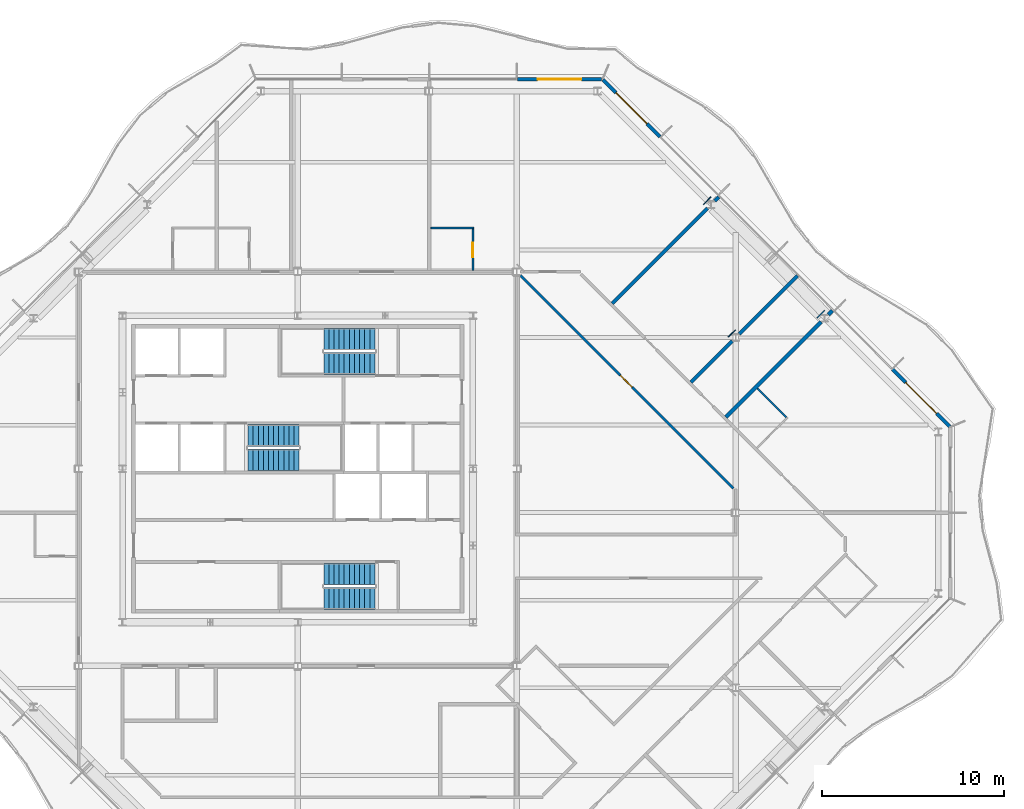
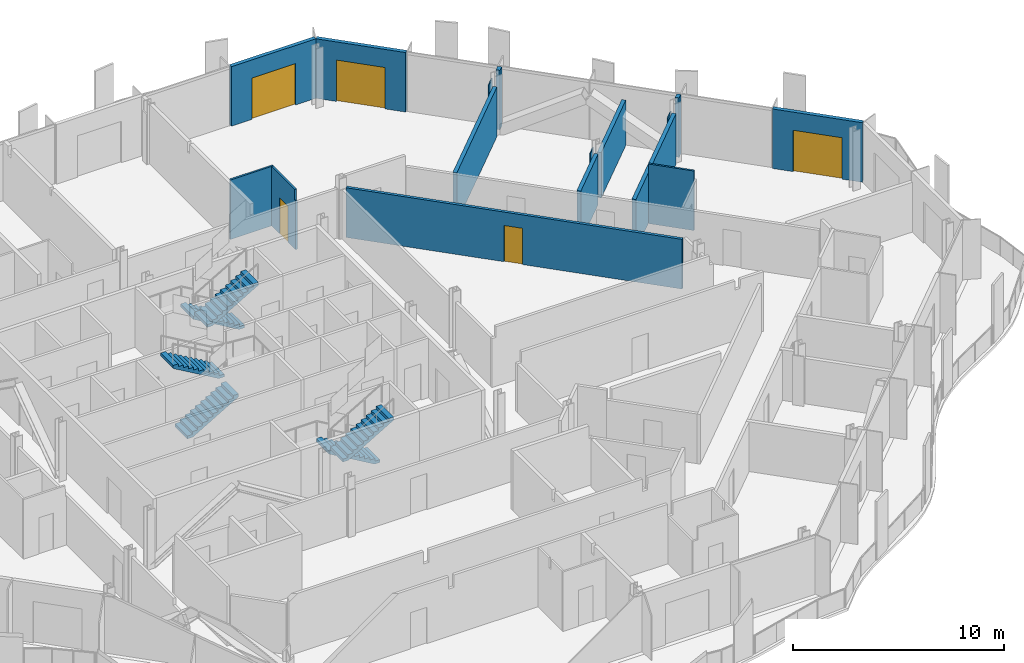
# One storey, part 12 of 17: 16 walls, 6 stair flights, 5 doors, 5 openings, 3 elements without a shape of their own.
"""IFC4 building model written with IfcOpenShell, lengths in metres."""

from ifc_helpers import new_model, si_unit, direction, frame, frame_2d, origin, place, context, subcontext, project, spatial, polyline, rectangle, outline, extrude, material, layer, layer_set, type_object, element, fill, aggregate, save


model = new_model("IFC4")

# Units and contexts
model_context = context("Model", 3, precision=1e-05, world=origin(), true_north=direction((0.0, 1.0)))
body_context = subcontext(model_context, "Body", "Model", "MODEL_VIEW")
ifc_project = project(units=[si_unit("LENGTHUNIT", "METRE"), si_unit("AREAUNIT", "SQUARE_METRE"), si_unit("VOLUMEUNIT", "CUBIC_METRE"), si_unit("PLANEANGLEUNIT", "RADIAN"), si_unit("MASSUNIT", "GRAM", prefix="KILO")], contexts=[model_context])

# Site, building, storey
site_placement = place(None, origin())
site = spatial("IfcSite", under=ifc_project, at=site_placement, CompositionType="ELEMENT")
building_placement = place(site_placement, origin())
building = spatial("IfcBuilding", under=site, at=building_placement, Name="Cairn Pilgrim Tower", CompositionType="ELEMENT")
storey_placement = place(building_placement, frame((0.0, 0.0, 235.800048828125)))
storey = spatial("IfcBuildingStorey", under=building, at=storey_placement, Name="L60", CompositionType="ELEMENT", Elevation=235.800048828125)

# Wall, opening, door
ifc_material_1 = material(Name="Bronze anodised aluminium insulated sandwich panel with mineral wool fill", Category="aluminium")
ifc_layer_1 = layer(ifc_material_1, 0.199951171875)
ifc_layer_set_1 = layer_set([ifc_layer_1], Name="BRONZE INFILL FRAME WALL 200")
wall_type_1 = type_object("IfcWallType", Name="BRONZE INFILL FRAME WALL 200", PredefinedType="NOTDEFINED", material=ifc_layer_set_1)
wall_1_placement = place(storey_placement, frame((42.921630859375, 4.724609375, 0.0), z_axis=(0.0, 0.0, 1.0), x_axis=(-0.707079168996, 0.707134392299, 0.0)))
wall_1 = element("IfcWall", 1, at=wall_1_placement, inside=storey, type_object=wall_type_1, Name="Bronze infill frame wall IW-NE1", PredefinedType="NOTDEFINED", context=body_context, shape_type="SweptSolid", body=[
    extrude(rectangle(XDim=4.4208984375, YDim=0.199951171875, at=frame_2d((2.21044921875, 0.0))), origin(), (0.0, 0.0, 1.0), 3.449951171875),
])
opening_1_placement = place(wall_1_placement, frame((1.00537109375, 0.0, 0.0)))
opening_1 = element("IfcOpeningElement", 2, at=opening_1_placement, cuts=wall_1, Name="Opening 6005B", PredefinedType="OPENING", context=body_context, shape_type="SweptSolid", body=[
    extrude(rectangle(XDim=2.39990234375, YDim=2.39990234375, at=frame_2d((1.199951171875, 1.199951171875))), frame((0.0, 0.10986328125, 0.0), z_axis=(0.0, -1.0, 0.0), x_axis=(1.0, 0.0, 0.0)), (0.0, 0.0, 1.0), 0.219970703125),
])
ifc_material_2 = material(Name="Bronze anodised aluminium frame with tinted low-E glass", Category="aluminium")
door_type_1 = type_object("IfcDoorType", Name="BALCONY SLIDING DOOR 2400x2400", OperationType="DOUBLE_DOOR_SLIDING", PredefinedType="DOOR", material=ifc_material_2)
door_1_placement = place(opening_1_placement, origin())
door_1 = element("IfcDoor", 3, at=door_1_placement, inside=storey, type_object=door_type_1, Name="Balcony sliding door 6005B", OperationType="SINGLE_SWING_LEFT", OverallHeight=2.39990234375, OverallWidth=2.39990234375, PredefinedType="DOOR", context=body_context, shape_type="SweptSolid", body=[
    extrude(rectangle(XDim=2.39990234375, YDim=2.39990234375, at=frame_2d((1.199951171875, 1.199951171875))), frame((0.0, 0.02490234375, 0.0), z_axis=(0.0, -1.0, 0.0), x_axis=(1.0, 0.0, 0.0)), (0.0, 0.0, 1.0), 0.050048828125),
])
fill(opening_1, door_1)

wall_2_placement = place(storey_placement, frame((27.05078125, 20.595703125, 0.0), z_axis=(0.0, 0.0, 1.0), x_axis=(-0.707106781187, 0.707106781187, 0.0)))
wall_2 = element("IfcWall", 4, at=wall_2_placement, inside=storey, type_object=wall_type_1, Name="Bronze infill frame wall IW-NE6", PredefinedType="NOTDEFINED", context=body_context, shape_type="SweptSolid", body=[
    extrude(rectangle(XDim=4.4208984375, YDim=0.199951171875, at=frame_2d((2.21044921875, 0.0))), origin(), (0.0, 0.0, 1.0), 3.449951171875),
])
opening_2_placement = place(wall_2_placement, frame((1.01513671875, 0.0, 0.0)))
opening_2 = element("IfcOpeningElement", 5, at=opening_2_placement, cuts=wall_2, Name="Opening 6008B", PredefinedType="OPENING", context=body_context, shape_type="SweptSolid", body=[
    extrude(rectangle(XDim=2.39990234375, YDim=2.39990234375, at=frame_2d((1.199951171875, 1.199951171875))), frame((0.0, 0.10986328125, 0.0), z_axis=(0.0, -1.0, 0.0), x_axis=(1.0, 0.0, 0.0)), (0.0, 0.0, 1.0), 0.219970703125),
])
door_2_placement = place(opening_2_placement, origin())
door_2 = element("IfcDoor", 6, at=door_2_placement, inside=storey, type_object=door_type_1, Name="Balcony sliding door 6008B", OperationType="SINGLE_SWING_LEFT", OverallHeight=2.39990234375, OverallWidth=2.39990234375, PredefinedType="DOOR", context=body_context, shape_type="SweptSolid", body=[
    extrude(rectangle(XDim=2.39990234375, YDim=2.39990234375, at=frame_2d((1.199951171875, 1.199951171875))), frame((0.0, 0.02490234375, 0.0), z_axis=(0.0, -1.0, 0.0), x_axis=(1.0, 0.0, 0.0)), (0.0, 0.0, 1.0), 0.050048828125),
])
fill(opening_2, door_2)

wall_3_placement = place(storey_placement, frame((23.8564453125, 23.75, 0.0), z_axis=(0.0, 0.0, 1.0), x_axis=(-1.0, 0.0, 0.0)))
wall_3 = element("IfcWall", 7, at=wall_3_placement, inside=storey, type_object=wall_type_1, Name="Bronze infill frame wall IW-N1", PredefinedType="NOTDEFINED", context=body_context, shape_type="SweptSolid", body=[
    extrude(rectangle(XDim=4.62646484375, YDim=0.199951171875, at=frame_2d((2.313232421875, 0.0))), origin(), (0.0, 0.0, 1.0), 3.449951171875),
])
opening_3_placement = place(wall_3_placement, frame((1.1083984375, 0.0, 0.0)))
opening_3 = element("IfcOpeningElement", 8, at=opening_3_placement, cuts=wall_3, Name="Opening 6008B2", PredefinedType="OPENING", context=body_context, shape_type="SweptSolid", body=[
    extrude(rectangle(XDim=2.39990234375, YDim=2.39990234375, at=frame_2d((1.199951171875, 1.199951171875))), frame((0.0, 0.10986328125, 0.0), z_axis=(0.0, -1.0, 0.0), x_axis=(1.0, 0.0, 0.0)), (0.0, 0.0, 1.0), 0.219970703125),
])
door_3_placement = place(opening_3_placement, origin())
door_3 = element("IfcDoor", 9, at=door_3_placement, inside=storey, type_object=door_type_1, Name="Balcony sliding door 6008B2", OperationType="SINGLE_SWING_LEFT", OverallHeight=2.39990234375, OverallWidth=2.39990234375, PredefinedType="DOOR", context=body_context, shape_type="SweptSolid", body=[
    extrude(rectangle(XDim=2.39990234375, YDim=2.39990234375, at=frame_2d((1.199951171875, 1.199951171875))), frame((0.0, 0.02490234375, 0.0), z_axis=(0.0, -1.0, 0.0), x_axis=(1.0, 0.0, 0.0)), (0.0, 0.0, 1.0), 0.050048828125),
])
fill(opening_3, door_3)

# Wall
ifc_material_3 = material(Name="Gypsum partition")
ifc_layer_2 = layer(ifc_material_3, 0.10009765625)
ifc_layer_set_2 = layer_set([ifc_layer_2], Name="PARTITION 100 DRYWALL")
wall_type_2 = type_object("IfcWallType", Name="PARTITION 100 DRYWALL", PredefinedType="PARTITIONING", material=ifc_layer_set_2)
wall_4_placement = place(storey_placement, frame((33.967529296875, 5.220458984375, 0.0), z_axis=(0.0, 0.0, 1.0), x_axis=(-0.707106781187, 0.707106781187, 0.0)))
element("IfcWall", 10, at=wall_4_placement, inside=storey, type_object=wall_type_2, Name="PARTITION W062", PredefinedType="PARTITIONING", context=body_context, shape_type="SweptSolid", body=[
    extrude(rectangle(XDim=2.249755859375, YDim=0.10009765625, at=frame_2d((1.125, 0.0))), origin(), (0.0, 0.0, 1.0), 3.449951171875),
])

# Wall, opening, door
wall_5_placement = place(storey_placement, frame((16.800048828125, 13.27490234375, 0.0), z_axis=(0.0, 0.0, 1.0), x_axis=(0.0, 1.0, 0.0)))
wall_5 = element("IfcWall", 11, at=wall_5_placement, inside=storey, type_object=wall_type_2, Name="PARTITION W075", PredefinedType="PARTITIONING", context=body_context, shape_type="SweptSolid", body=[
    extrude(outline(polyline([(0.0, 0.0), (2.275146484375, 0.0), (2.27490234375, 3.449951171875), (0.074951171875, 3.449951171875), (0.072998046875, 2.829833984375), (0.0, 2.829833984375), (0.0, 0.0)])), frame((0.0, 0.050048828125, 0.0), z_axis=(0.0, -1.0, 0.0), x_axis=(1.0, 0.0, 0.0)), (0.0, 0.0, 1.0), 0.10009765625),
])
opening_4_placement = place(wall_5_placement, frame((0.72509765625, 0.0, 0.0)))
opening_4 = element("IfcOpeningElement", 12, at=opening_4_placement, cuts=wall_5, Name="Opening 6008A", PredefinedType="OPENING", context=body_context, shape_type="SweptSolid", body=[
    extrude(rectangle(XDim=0.800048828125, YDim=2.10009765625, at=frame_2d((0.39990234375, 1.050048828125))), frame((0.0, 0.06005859375, 0.0), z_axis=(0.0, -1.0, 0.0), x_axis=(1.0, 0.0, 0.0)), (0.0, 0.0, 1.0), 0.1201171875),
])
ifc_material_4 = material(Name="Timber door leaf", Category="wood")
door_type_2 = type_object("IfcDoorType", Name="WC DOOR 800x2100", OperationType="NOTDEFINED", PredefinedType="DOOR", material=ifc_material_4)
door_4_placement = place(opening_4_placement, frame((0.800048828125, 0.0, 0.0), z_axis=(0.0, 0.0, 1.0), x_axis=(-1.0, 0.0, 0.0)))
door_4 = element("IfcDoor", 13, at=door_4_placement, inside=storey, type_object=door_type_2, Name="DOOR 6008A", OperationType="SINGLE_SWING_RIGHT", OverallHeight=2.10009765625, OverallWidth=0.800048828125, PredefinedType="DOOR", context=body_context, shape_type="SweptSolid", body=[
    extrude(rectangle(XDim=0.800048828125, YDim=2.10009765625, at=frame_2d((0.39990234375, 1.050048828125))), frame((0.0, 0.02490234375, 0.0), z_axis=(0.0, -1.0, 0.0), x_axis=(1.0, 0.0, 0.0)), (0.0, 0.0, 1.0), 0.050048828125),
])
fill(opening_4, door_4)

# Wall
wall_6_placement = place(storey_placement, frame((14.5, 15.60009765625, 0.0), z_axis=(0.0, 0.0, 1.0), x_axis=(1.0, 0.0, 0.0)))
element("IfcWall", 14, at=wall_6_placement, inside=storey, type_object=wall_type_2, Name="PARTITION W078", PredefinedType="PARTITIONING", context=body_context, shape_type="SweptSolid", body=[
    extrude(rectangle(XDim=2.35009765625, YDim=0.10009765625, at=frame_2d((1.175048828125, 0.0))), origin(), (0.0, 0.0, 1.0), 3.449951171875),
])

# Wall, opening, door
ifc_layer_3 = layer(ifc_material_3, 0.14990234375)
ifc_layer_set_3 = layer_set([ifc_layer_3], Name="PARTITION 150 DRYWALL EI 60")
wall_type_3 = type_object("IfcWallType", Name="PARTITION 150 DRYWALL EI 60", PredefinedType="PARTITIONING", material=ifc_layer_set_3)
wall_7_placement = place(storey_placement, frame((31.072021484375, 1.327880859375, 0.0), z_axis=(0.0, 0.0, 1.0), x_axis=(-0.707099390895, 0.707114171401, 0.0)))
wall_7 = element("IfcWall", 15, at=wall_7_placement, inside=storey, type_object=wall_type_3, Name="PARTITION W057", PredefinedType="PARTITIONING", context=body_context, shape_type="SweptSolid", body=[
    extrude(rectangle(XDim=16.517822265625, YDim=0.14990234375, at=frame_2d((8.2587890625, 0.0))), origin(), (0.0, 0.0, 1.0), 2.8798828125),
])
opening_5_placement = place(wall_7_placement, frame((7.85400390625, 0.0, 0.0)))
opening_5 = element("IfcOpeningElement", 16, at=opening_5_placement, cuts=wall_7, Name="Opening 6020", PredefinedType="OPENING", context=body_context, shape_type="SweptSolid", body=[
    extrude(rectangle(XDim=0.89990234375, YDim=2.10009765625, at=frame_2d((0.449951171875, 1.050048828125))), frame((0.0, 0.0849609375, 0.0), z_axis=(0.0, -1.0, 0.0), x_axis=(1.0, 0.0, 0.0)), (0.0, 0.0, 1.0), 0.169921875),
])
door_type_3 = type_object("IfcDoorType", Name="SERVICE DOOR 900x2100 FD30S", OperationType="NOTDEFINED", PredefinedType="DOOR", material=ifc_material_4)
door_5_placement = place(opening_5_placement, origin())
door_5 = element("IfcDoor", 17, at=door_5_placement, inside=storey, type_object=door_type_3, Name="DOOR 6020", OperationType="SINGLE_SWING_RIGHT", OverallHeight=2.10009765625, OverallWidth=0.89990234375, PredefinedType="DOOR", context=body_context, shape_type="SweptSolid", body=[
    extrude(rectangle(XDim=0.89990234375, YDim=2.10009765625, at=frame_2d((0.449951171875, 1.050048828125))), frame((0.0, 0.02490234375, 0.0), z_axis=(0.0, -1.0, 0.0), x_axis=(1.0, 0.0, 0.0)), (0.0, 0.0, 1.0), 0.050048828125),
])
fill(opening_5, door_5)

# Walls
ifc_layer_4 = layer(ifc_material_3, 0.050048828125)
ifc_layer_set_4 = layer_set([ifc_layer_4], Name="PARTITION 50 DRYWALL EI 60")
wall_type_4 = type_object("IfcWallType", Name="PARTITION 50 DRYWALL EI 60", PredefinedType="PARTITIONING", material=ifc_layer_set_4)
wall_8_placement = place(storey_placement, frame((35.652587890625, 10.669189453125, 0.0), z_axis=(0.0, 0.0, 1.0), x_axis=(0.707106781187, 0.707106781187, 0.0)))
element("IfcWall", 18, at=wall_8_placement, inside=storey, type_object=wall_type_4, Name="COLUMN CASING WC16", PredefinedType="PARTITIONING", context=body_context, shape_type="SweptSolid", body=[
    extrude(rectangle(XDim=0.573486328125, YDim=0.050048828125, at=frame_2d((0.28662109375, 0.0))), origin(), (0.0, 0.0, 1.0), 2.6298828125),
])
wall_9_placement = place(storey_placement, frame((30.786376953125, 9.61767578125, 0.0), z_axis=(0.0, 0.0, 1.0), x_axis=(0.707106781187, 0.707106781187, 0.0)))
element("IfcWall", 19, at=wall_9_placement, inside=storey, type_object=wall_type_4, Name="COLUMN CASING WC17", PredefinedType="PARTITIONING", context=body_context, shape_type="SweptSolid", body=[
    extrude(rectangle(XDim=0.56005859375, YDim=0.050048828125, at=frame_2d((0.280029296875, 0.0))), origin(), (0.0, 0.0, 1.0), 2.8798828125),
])
wall_10_placement = place(storey_placement, frame((29.42822265625, 16.893310546875, 0.0), z_axis=(0.0, 0.0, 1.0), x_axis=(0.707106781187, 0.707106781187, 0.0)))
element("IfcWall", 20, at=wall_10_placement, inside=storey, type_object=wall_type_4, Name="COLUMN CASING WC18", PredefinedType="PARTITIONING", context=body_context, shape_type="SweptSolid", body=[
    extrude(rectangle(XDim=0.573486328125, YDim=0.050048828125, at=frame_2d((0.28662109375, 0.0))), origin(), (0.0, 0.0, 1.0), 2.929931640625),
])
ifc_layer_5 = layer(ifc_material_3, 0.199951171875)
ifc_layer_set_5 = layer_set([ifc_layer_5], Name="SHAFT WALL 200 GYPSUM EI 60")
wall_type_5 = type_object("IfcWallType", Name="SHAFT WALL 200 GYPSUM EI 60", PredefinedType="PARTITIONING", material=ifc_layer_set_5)
wall_11_placement = place(storey_placement, frame((30.662109375, 5.238037109375, 0.0), z_axis=(0.0, 0.0, 1.0), x_axis=(0.707106781187, 0.707106781187, 0.0)))
element("IfcWall", 21, at=wall_11_placement, inside=storey, type_object=wall_type_5, Name="PARTITION W061", PredefinedType="PARTITIONING", context=body_context, shape_type="SweptSolid", body=[
    extrude(rectangle(XDim=7.369140625, YDim=0.199951171875, at=frame_2d((3.6845703125, 0.0))), origin(), (0.0, 0.0, 1.0), 2.929931640625),
])
wall_12_placement = place(storey_placement, frame((28.75, 7.14990234375, 0.0), z_axis=(0.0, 0.0, 1.0), x_axis=(0.7070684525, 0.707145107796, 0.0)))
element("IfcWall", 22, at=wall_12_placement, inside=storey, type_object=wall_type_5, Name="PARTITION W063", PredefinedType="PARTITIONING", context=body_context, shape_type="SweptSolid", body=[
    extrude(rectangle(XDim=3.184814453125, YDim=0.199951171875, at=frame_2d((1.59228515625, 0.0))), origin(), (0.0, 0.0, 1.0), 2.929931640625),
])
wall_13_placement = place(storey_placement, frame((31.39794921875, 9.798095703125, 0.0), z_axis=(0.0, 0.0, 1.0), x_axis=(0.707133900936, 0.707079660397, 0.0)))
element("IfcWall", 23, at=wall_13_placement, inside=storey, type_object=wall_type_5, Name="PARTITION W064", PredefinedType="PARTITIONING", context=body_context, shape_type="SweptSolid", body=[
    extrude(rectangle(XDim=4.5009765625, YDim=0.199951171875, at=frame_2d((2.25048828125, 0.0))), origin(), (0.0, 0.0, 1.0), 2.6298828125),
])
wall_14_placement = place(storey_placement, frame((36.2783203125, 10.8544921875, 0.0), z_axis=(0.0, 0.0, 1.0), x_axis=(0.707509117806, 0.706704215511, 0.0)))
element("IfcWall", 24, at=wall_14_placement, inside=storey, type_object=wall_type_5, Name="PARTITION W065", PredefinedType="PARTITIONING", context=body_context, shape_type="SweptSolid", body=[
    extrude(rectangle(XDim=0.30322265625, YDim=0.199951171875, at=frame_2d((0.151611328125, 0.0))), origin(), (0.0, 0.0, 1.0), 3.449951171875),
])
wall_15_placement = place(storey_placement, frame((24.43798828125, 11.4619140625, 0.0), z_axis=(0.0, 0.0, 1.0), x_axis=(0.707090216072, 0.707123345913, 0.0)))
element("IfcWall", 25, at=wall_15_placement, inside=storey, type_object=wall_type_5, Name="PARTITION W066", PredefinedType="PARTITIONING", context=body_context, shape_type="SweptSolid", body=[
    extrude(rectangle(XDim=7.369140625, YDim=0.199951171875, at=frame_2d((3.6845703125, 0.0))), origin(), (0.0, 0.0, 1.0), 2.8798828125),
])
wall_16_placement = place(storey_placement, frame((30.054443359375, 17.078369140625, 0.0), z_axis=(0.0, 0.0, 1.0), x_axis=(0.707106781187, 0.707106781187, 0.0)))
element("IfcWall", 26, at=wall_16_placement, inside=storey, type_object=wall_type_5, Name="PARTITION W079", PredefinedType="PARTITIONING", context=body_context, shape_type="SweptSolid", body=[
    extrude(rectangle(XDim=0.30322265625, YDim=0.199951171875, at=frame_2d((0.151611328125, 0.0))), origin(), (0.0, 0.0, 1.0), 3.449951171875),
])

# Stair, stair flights
ifc_material_5 = material(Name="Concrete C32/40", Category="concrete")
stair_type = type_object("IfcStairType", Name="EXIT STAIR 1200", PredefinedType="HALF_TURN_STAIR", material=ifc_material_5)
stair_1_placement = place(storey_placement, origin())
stair_1 = element("IfcStair", 27, at=stair_1_placement, inside=storey, type_object=stair_type, Name="L60 Exit Stair A", PredefinedType="HALF_TURN_STAIR")
stair_flight_type = type_object("IfcStairFlightType", Name="STAIR FLIGHT 1200", PredefinedType="STRAIGHT", material=ifc_material_5)
stair_flight_1_placement = place(storey_placement, frame((11.425048828125, -3.375, 0.0), z_axis=(0.0, 0.0, 1.0), x_axis=(-1.0, 0.0, 0.0)))
stair_flight_1 = element("IfcStairFlight", 28, at=stair_flight_1_placement, type_object=stair_flight_type, Name="ST-A flight 1", NumberOfRisers=11, NumberOfTreads=10, PredefinedType="STRAIGHT", RiserHeight=0.163636364, TreadLength=0.28, context=body_context, shape_type="SweptSolid", body=[
    extrude(outline(polyline([(0.0, 0.0), (0.0, 0.16357421875), (0.280029296875, 0.16357421875), (0.280029296875, 0.327392578125), (0.56005859375, 0.327392578125), (0.56005859375, 0.490966796875), (0.840087890625, 0.490966796875), (0.840087890625, 0.654541015625), (1.1201171875, 0.654541015625), (1.1201171875, 0.818115234375), (1.39990234375, 0.818115234375), (1.39990234375, 0.98193359375), (1.679931640625, 0.98193359375), (1.679931640625, 1.1455078125), (1.9599609375, 1.1455078125), (1.9599609375, 1.30908203125), (2.239990234375, 1.30908203125), (2.239990234375, 1.47265625), (2.52001953125, 1.47265625), (2.52001953125, 1.636474609375), (2.800048828125, 1.636474609375), (2.800048828125, 1.800048828125), (2.800048828125, 1.462646484375), (0.297119140625, 0.0), (0.0, 0.0)])), frame((0.0, 0.60009765625, 0.0), z_axis=(0.0, -1.0, 0.0), x_axis=(1.0, 0.0, 0.0)), (0.0, 0.0, 1.0), 1.199951171875),
])
stair_flight_2_placement = place(storey_placement, frame((8.625, -4.699951171875, 1.800048828125), z_axis=(0.0, 0.0, 1.0), x_axis=(1.0, 0.0, 0.0)))
stair_flight_2 = element("IfcStairFlight", 29, at=stair_flight_2_placement, type_object=stair_flight_type, Name="ST-A flight 2", NumberOfRisers=11, NumberOfTreads=10, PredefinedType="STRAIGHT", RiserHeight=0.163636364, TreadLength=0.28, context=body_context, shape_type="SweptSolid", body=[
    extrude(outline(polyline([(0.0, 0.0), (0.0, 0.16357421875), (0.280029296875, 0.16357421875), (0.280029296875, 0.327392578125), (0.56005859375, 0.327392578125), (0.56005859375, 0.490966796875), (0.840087890625, 0.490966796875), (0.840087890625, 0.654541015625), (1.1201171875, 0.654541015625), (1.1201171875, 0.818115234375), (1.39990234375, 0.818115234375), (1.39990234375, 0.98193359375), (1.679931640625, 0.98193359375), (1.679931640625, 1.1455078125), (1.9599609375, 1.1455078125), (1.9599609375, 1.30908203125), (2.239990234375, 1.30908203125), (2.239990234375, 1.47265625), (2.52001953125, 1.47265625), (2.52001953125, 1.636474609375), (2.800048828125, 1.636474609375), (2.800048828125, 1.800048828125), (2.800048828125, 1.462646484375), (0.297119140625, 0.0), (0.0, 0.0)])), frame((0.0, 0.60009765625, 0.0), z_axis=(0.0, -1.0, 0.0), x_axis=(1.0, 0.0, 0.0)), (0.0, 0.0, 1.0), 1.199951171875),
])
aggregate(stair_1, [stair_flight_1, stair_flight_2])

stair_2_placement = place(storey_placement, origin())
stair_2 = element("IfcStair", 30, at=stair_2_placement, inside=storey, type_object=stair_type, Name="L60 Exit Stair B", PredefinedType="HALF_TURN_STAIR")
stair_flight_3_placement = place(storey_placement, frame((4.47509765625, 2.875, 0.0), z_axis=(0.0, 0.0, 1.0), x_axis=(1.0, 0.0, 0.0)))
stair_flight_3 = element("IfcStairFlight", 31, at=stair_flight_3_placement, type_object=stair_flight_type, Name="ST-B flight 1", NumberOfRisers=11, NumberOfTreads=10, PredefinedType="STRAIGHT", RiserHeight=0.163636364, TreadLength=0.28, context=body_context, shape_type="SweptSolid", body=[
    extrude(outline(polyline([(0.0, 0.0), (0.0, 0.16357421875), (0.280029296875, 0.16357421875), (0.280029296875, 0.327392578125), (0.56005859375, 0.327392578125), (0.56005859375, 0.490966796875), (0.840087890625, 0.490966796875), (0.840087890625, 0.654541015625), (1.1201171875, 0.654541015625), (1.1201171875, 0.818115234375), (1.39990234375, 0.818115234375), (1.39990234375, 0.98193359375), (1.679931640625, 0.98193359375), (1.679931640625, 1.1455078125), (1.9599609375, 1.1455078125), (1.9599609375, 1.30908203125), (2.239990234375, 1.30908203125), (2.239990234375, 1.47265625), (2.52001953125, 1.47265625), (2.52001953125, 1.636474609375), (2.800048828125, 1.636474609375), (2.800048828125, 1.800048828125), (2.800048828125, 1.462646484375), (0.297119140625, 0.0), (0.0, 0.0)])), frame((0.0, 0.60009765625, 0.0), z_axis=(0.0, -1.0, 0.0), x_axis=(1.0, 0.0, 0.0)), (0.0, 0.0, 1.0), 1.199951171875),
])
stair_flight_4_placement = place(storey_placement, frame((7.27490234375, 4.22509765625, 1.800048828125), z_axis=(0.0, 0.0, 1.0), x_axis=(-1.0, 0.0, 0.0)))
stair_flight_4 = element("IfcStairFlight", 32, at=stair_flight_4_placement, type_object=stair_flight_type, Name="ST-B flight 2", NumberOfRisers=11, NumberOfTreads=10, PredefinedType="STRAIGHT", RiserHeight=0.163636364, TreadLength=0.28, context=body_context, shape_type="SweptSolid", body=[
    extrude(outline(polyline([(0.0, 0.0), (0.0, 0.16357421875), (0.280029296875, 0.16357421875), (0.280029296875, 0.327392578125), (0.56005859375, 0.327392578125), (0.56005859375, 0.490966796875), (0.840087890625, 0.490966796875), (0.840087890625, 0.654541015625), (1.1201171875, 0.654541015625), (1.1201171875, 0.818115234375), (1.39990234375, 0.818115234375), (1.39990234375, 0.98193359375), (1.679931640625, 0.98193359375), (1.679931640625, 1.1455078125), (1.9599609375, 1.1455078125), (1.9599609375, 1.30908203125), (2.239990234375, 1.30908203125), (2.239990234375, 1.47265625), (2.52001953125, 1.47265625), (2.52001953125, 1.636474609375), (2.800048828125, 1.636474609375), (2.800048828125, 1.800048828125), (2.800048828125, 1.462646484375), (0.297119140625, 0.0), (0.0, 0.0)])), frame((0.0, 0.60009765625, 0.0), z_axis=(0.0, -1.0, 0.0), x_axis=(1.0, 0.0, 0.0)), (0.0, 0.0, 1.0), 1.199951171875),
])
aggregate(stair_2, [stair_flight_3, stair_flight_4])

stair_3_placement = place(storey_placement, origin())
stair_3 = element("IfcStair", 33, at=stair_3_placement, inside=storey, type_object=stair_type, Name="L60 Exit Stair C", PredefinedType="HALF_TURN_STAIR")
stair_flight_5_placement = place(storey_placement, frame((11.425048828125, 9.5, 0.0), z_axis=(0.0, 0.0, 1.0), x_axis=(-1.0, 0.0, 0.0)))
stair_flight_5 = element("IfcStairFlight", 34, at=stair_flight_5_placement, type_object=stair_flight_type, Name="ST-C flight 1", NumberOfRisers=11, NumberOfTreads=10, PredefinedType="STRAIGHT", RiserHeight=0.163636364, TreadLength=0.28, context=body_context, shape_type="SweptSolid", body=[
    extrude(outline(polyline([(0.0, 0.0), (0.0, 0.16357421875), (0.280029296875, 0.16357421875), (0.280029296875, 0.327392578125), (0.56005859375, 0.327392578125), (0.56005859375, 0.490966796875), (0.840087890625, 0.490966796875), (0.840087890625, 0.654541015625), (1.1201171875, 0.654541015625), (1.1201171875, 0.818115234375), (1.39990234375, 0.818115234375), (1.39990234375, 0.98193359375), (1.679931640625, 0.98193359375), (1.679931640625, 1.1455078125), (1.9599609375, 1.1455078125), (1.9599609375, 1.30908203125), (2.239990234375, 1.30908203125), (2.239990234375, 1.47265625), (2.52001953125, 1.47265625), (2.52001953125, 1.636474609375), (2.800048828125, 1.636474609375), (2.800048828125, 1.800048828125), (2.800048828125, 1.462646484375), (0.297119140625, 0.0), (0.0, 0.0)])), frame((0.0, 0.60009765625, 0.0), z_axis=(0.0, -1.0, 0.0), x_axis=(1.0, 0.0, 0.0)), (0.0, 0.0, 1.0), 1.199951171875),
])
stair_flight_6_placement = place(storey_placement, frame((8.625, 8.175048828125, 1.800048828125), z_axis=(0.0, 0.0, 1.0), x_axis=(1.0, 0.0, 0.0)))
stair_flight_6 = element("IfcStairFlight", 35, at=stair_flight_6_placement, type_object=stair_flight_type, Name="ST-C flight 2", NumberOfRisers=11, NumberOfTreads=10, PredefinedType="STRAIGHT", RiserHeight=0.163636364, TreadLength=0.28, context=body_context, shape_type="SweptSolid", body=[
    extrude(outline(polyline([(0.0, 0.0), (0.0, 0.16357421875), (0.280029296875, 0.16357421875), (0.280029296875, 0.327392578125), (0.56005859375, 0.327392578125), (0.56005859375, 0.490966796875), (0.840087890625, 0.490966796875), (0.840087890625, 0.654541015625), (1.1201171875, 0.654541015625), (1.1201171875, 0.818115234375), (1.39990234375, 0.818115234375), (1.39990234375, 0.98193359375), (1.679931640625, 0.98193359375), (1.679931640625, 1.1455078125), (1.9599609375, 1.1455078125), (1.9599609375, 1.30908203125), (2.239990234375, 1.30908203125), (2.239990234375, 1.47265625), (2.52001953125, 1.47265625), (2.52001953125, 1.636474609375), (2.800048828125, 1.636474609375), (2.800048828125, 1.800048828125), (2.800048828125, 1.462646484375), (0.297119140625, 0.0), (0.0, 0.0)])), frame((0.0, 0.60009765625, 0.0), z_axis=(0.0, -1.0, 0.0), x_axis=(1.0, 0.0, 0.0)), (0.0, 0.0, 1.0), 1.199951171875),
])
aggregate(stair_3, [stair_flight_5, stair_flight_6])

save(model, "model.ifc")
